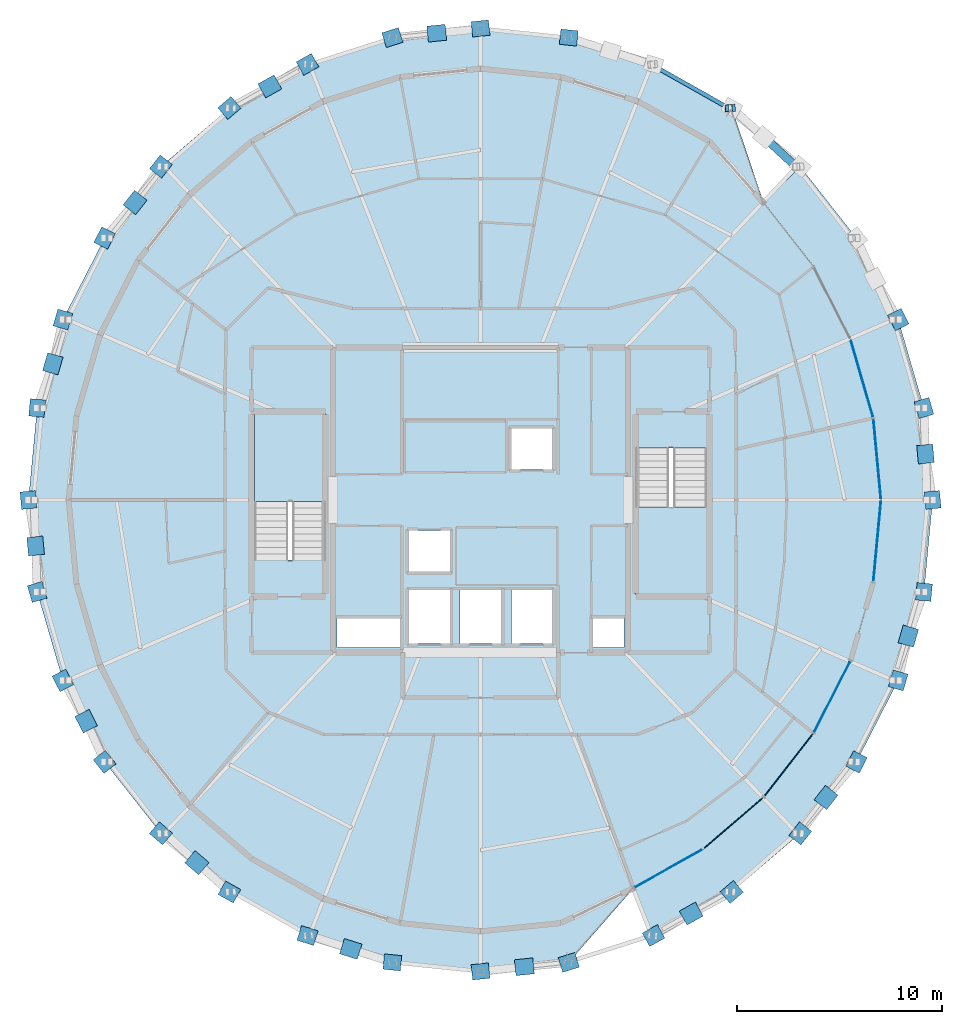
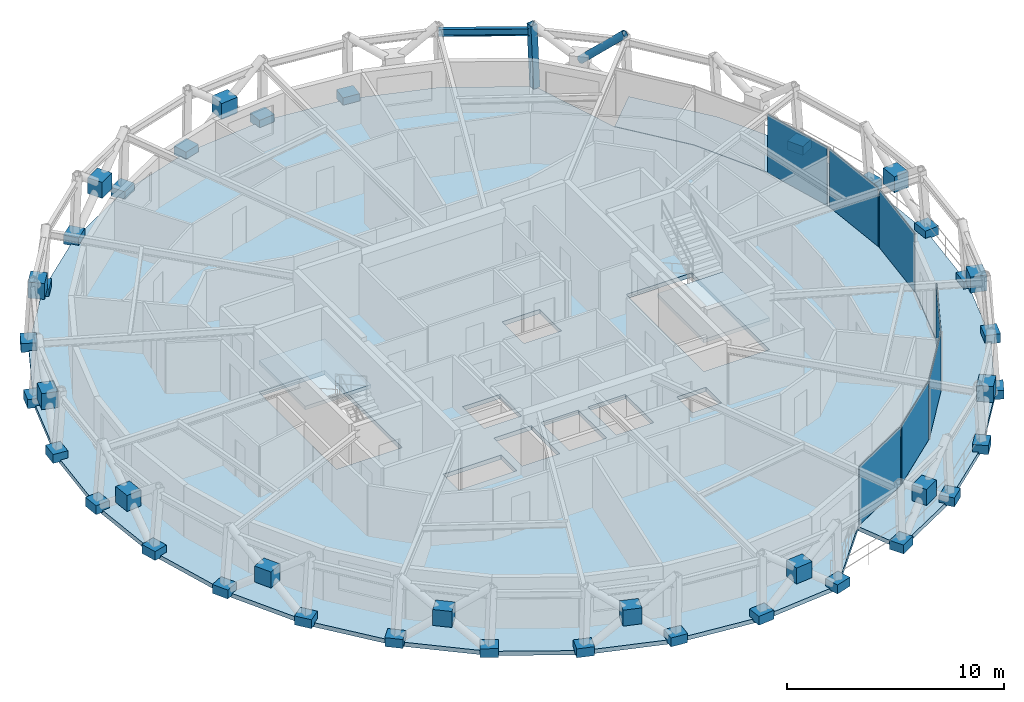
# One storey, part 9 of 15: 48 plates, 4 slabs, 2 members, 1 beam, 4 elements without a shape of their own.
"""IFC4 building model written with IfcOpenShell, lengths in metres."""

from ifc_helpers import new_model, si_unit, direction, frame, origin, origin_2d, place, context, subcontext, project, spatial, polyline, rectangle, hollow_rectangle, hollow_circle, i_section, outline, extrude, material, layer, layer_set, material_profile, profile_set, type_object, element, aggregate, save


model = new_model("IFC4")

# Units and contexts
model_context = context("Model", 3, precision=1e-05, world=origin(), true_north=direction((0.0, 1.0)))
body_context = subcontext(model_context, "Body", "Model", "MODEL_VIEW")
ifc_project = project(units=[si_unit("LENGTHUNIT", "METRE"), si_unit("AREAUNIT", "SQUARE_METRE"), si_unit("VOLUMEUNIT", "CUBIC_METRE"), si_unit("PLANEANGLEUNIT", "RADIAN"), si_unit("MASSUNIT", "GRAM", prefix="KILO")], contexts=[model_context])

# Site, building, storey
site_placement = place(None, origin())
site = spatial("IfcSite", under=ifc_project, at=site_placement, CompositionType="ELEMENT")
building_placement = place(site_placement, origin())
building = spatial("IfcBuilding", under=site, at=building_placement, Name="Veldorina Hangang Commons", CompositionType="ELEMENT")
storey_placement = place(building_placement, frame((0.0, 0.0, 261.60009765625)))
storey = spatial("IfcBuildingStorey", under=building, at=storey_placement, Name="L68", CompositionType="ELEMENT", Elevation=261.60009765625)

# Beam
ifc_material_1 = material(Name="Steel SM355-TMC", Category="steel")
ifc_material_profile_1 = material_profile(ifc_material_1, i_section(OverallWidth=0.199951171875, OverallDepth=0.39990234375, WebThickness=0.008056640625, FlangeThickness=0.012939453125, FilletRadius=0.012939453125, at=origin_2d()), Name="H-400x200x8x13")
ifc_profile_set_1 = profile_set([ifc_material_profile_1], Name="Steel SM355-TMC")
beam_type = type_object("IfcBeamType", Name="BM-RB400", PredefinedType="BEAM", material=ifc_profile_set_1)
beam_placement = place(storey_placement, frame((44.12841796875, 43.132568359375, 3.159912109375), z_axis=(-0.871244233372, 0.490849758905, 0.0), x_axis=(-0.490849758905, -0.871244233372, 0.0)))
element("IfcBeam", 1, at=beam_placement, inside=storey, type_object=beam_type, Name="L68 perimeter hoop ring beam 05", PredefinedType="BEAM", context=body_context, shape_type="SweptSolid", body=[
    extrude(i_section(OverallWidth=0.199951171875, OverallDepth=0.39990234375, WebThickness=0.008056640625, FlangeThickness=0.012939453125, FilletRadius=0.012939453125, at=origin_2d()), origin(), (0.0, 0.0, 1.0), 4.332275390625),
])

# Members
ifc_material_profile_2 = material_profile(ifc_material_1, hollow_circle(Radius=0.199951171875, WallThickness=0.02001953125, at=origin_2d()), Name="CHS-400x20")
ifc_profile_set_2 = profile_set([ifc_material_profile_2], Name="Steel SM355-TMC")
member_type_1 = type_object("IfcMemberType", Name="DG-CHS400", PredefinedType="BRACE", material=ifc_profile_set_2)
member_1_placement = place(storey_placement, frame((45.852783203125, 41.710205078125, 1.806640625), z_axis=(0.561228710294, -0.51826677552, 0.645307588777), x_axis=(0.678428165475, 0.734666743694, 0.0)))
element("IfcMember", 2, at=member_1_placement, inside=storey, type_object=member_type_1, Name="L68 split perimeter diagrid upper brace 05", PredefinedType="BRACE", context=body_context, shape_type="SweptSolid", body=[
    extrude(hollow_circle(Radius=0.199951171875, WallThickness=0.02001953125, at=origin_2d()), origin(), (0.0, 0.0, 1.0), 2.77880859375),
])
ifc_material_profile_3 = material_profile(ifc_material_1, hollow_rectangle(XDim=0.35009765625, YDim=0.35009765625, WallThickness=0.01611328125, at=origin_2d()), Name="SHS-350x350x16")
ifc_profile_set_3 = profile_set([ifc_material_profile_3], Name="Steel SM355-TMC")
member_type_2 = type_object("IfcMemberType", Name="STR-SHS350", PredefinedType="STRUT", material=ifc_profile_set_3)
member_2_placement = place(storey_placement, frame((44.264404296875, 43.141357421875, 0.0), z_axis=(-0.043025400064, -0.002778017957, 0.999070116441), x_axis=(0.064432762324, -0.997922050633, 0.0)))
element("IfcMember", 3, at=member_2_placement, inside=storey, type_object=member_type_2, Name="L68 perimeter ring node post 05", PredefinedType="STRUT", context=body_context, shape_type="SweptSolid", body=[
    extrude(hollow_rectangle(XDim=0.35009765625, YDim=0.35009765625, WallThickness=0.01611328125, at=origin_2d()), origin(), (0.0, 0.0, 1.0), 3.603271484375),
])

# Curtain wall, plates
ifc_material_2 = material(Name="Glass Low-E Selective", Category="glass")
ifc_layer_1 = layer(ifc_material_2, 0.179931640625)
ifc_layer_set_1 = layer_set([ifc_layer_1], Name="Glass Low-E Selective")
curtain_wall_type = type_object("IfcCurtainWallType", Name="CW-SYS-Z3", PredefinedType="NOTDEFINED", material=ifc_layer_set_1)
curtain_wall_1_placement = place(storey_placement, origin())
curtain_wall_1 = element("IfcCurtainWall", 4, at=curtain_wall_1_placement, inside=storey, type_object=curtain_wall_type, Name="L68 unitised curtain wall CW-L68-R1", PredefinedType="NOTDEFINED")
ifc_material_3 = material(Name="Glass Low-E Triple IGU", Category="glass")
ifc_layer_2 = layer(ifc_material_3, 0.0400390625)
ifc_layer_set_2 = layer_set([ifc_layer_2], Name="Glass Low-E Triple IGU")
plate_type_1 = type_object("IfcPlateType", Name="CW-PNL-VIS", PredefinedType="CURTAIN_PANEL", material=ifc_layer_set_2)
plate_1_placement = place(storey_placement, frame((41.173828125, 6.006591796875, 0.014892578125), z_axis=(0.0, 0.0, 1.0), x_axis=(0.872368056432, 0.48884964367, 0.0)))
plate_1 = element("IfcPlate", 5, at=plate_1_placement, type_object=plate_type_1, Name="CW-L68-R1 facet 1 glazed vision panel", PredefinedType="CURTAIN_PANEL", context=body_context, shape_type="SweptSolid", body=[
    extrude(rectangle(XDim=3.6953125, YDim=0.0400390625, at=origin_2d()), origin(), (0.0, 0.0, 1.0), 3.2900390625),
])
plate_2_placement = place(storey_placement, frame((44.345703125, 8.228759765625, 0.014892578125), z_axis=(0.0, 0.0, 1.0), x_axis=(0.758043278694, 0.652204252996, 0.0)))
plate_2 = element("IfcPlate", 6, at=plate_2_placement, type_object=plate_type_1, Name="CW-L68-R1 facet 2 glazed vision panel", PredefinedType="CURTAIN_PANEL", context=body_context, shape_type="SweptSolid", body=[
    extrude(rectangle(XDim=3.729248046875, YDim=0.0400390625, at=origin_2d()), origin(), (0.0, 0.0, 1.0), 3.2900390625),
])
plate_3_placement = place(storey_placement, frame((47.04345703125, 11.056884765625, 0.014892578125), z_axis=(0.0, 0.0, 1.0), x_axis=(0.616431370541, 0.787408639407, 0.0)))
plate_3 = element("IfcPlate", 7, at=plate_3_placement, type_object=plate_type_1, Name="CW-L68-R1 facet 3 glazed vision panel", PredefinedType="CURTAIN_PANEL", context=body_context, shape_type="SweptSolid", body=[
    extrude(rectangle(XDim=3.765380859375, YDim=0.0400390625, at=origin_2d()), origin(), (0.0, 0.0, 1.0), 3.2900390625),
])
plate_4_placement = place(storey_placement, frame((49.1630859375, 14.38232421875, 0.014892578125), z_axis=(0.0, 0.0, 1.0), x_axis=(0.454223749141, 0.890887639221, 0.0)))
plate_4 = element("IfcPlate", 8, at=plate_4_placement, type_object=plate_type_1, Name="CW-L68-R1 facet 4 glazed vision panel", PredefinedType="CURTAIN_PANEL", context=body_context, shape_type="SweptSolid", body=[
    extrude(rectangle(XDim=3.798583984375, YDim=0.0400390625, at=origin_2d()), origin(), (0.0, 0.0, 1.0), 3.2900390625),
])
aggregate(curtain_wall_1, [plate_1, plate_2, plate_3, plate_4])

curtain_wall_2_placement = place(storey_placement, origin())
curtain_wall_2 = element("IfcCurtainWall", 9, at=curtain_wall_2_placement, inside=storey, type_object=curtain_wall_type, Name="L68 unitised curtain wall CW-L68-R2", PredefinedType="NOTDEFINED")
plate_5_placement = place(storey_placement, frame((51.3671875, 22.000244140625, 0.014892578125), z_axis=(0.0, 0.0, 1.0), x_axis=(0.093517518421, 0.99561763431, 0.0)))
plate_5 = element("IfcPlate", 10, at=plate_5_placement, type_object=plate_type_1, Name="CW-L68-R2 facet 1 glazed vision panel", PredefinedType="CURTAIN_PANEL", context=body_context, shape_type="SweptSolid", body=[
    extrude(rectangle(XDim=3.837158203125, YDim=0.0400390625, at=origin_2d()), origin(), (0.0, 0.0, 1.0), 3.2900390625),
])
plate_6_placement = place(storey_placement, frame((51.3671875, 25.999755859375, 0.014892578125), z_axis=(0.0, 0.0, 1.0), x_axis=(-0.093517518421, 0.99561763431, 0.0)))
plate_6 = element("IfcPlate", 11, at=plate_6_placement, type_object=plate_type_1, Name="CW-L68-R2 facet 2 glazed vision panel", PredefinedType="CURTAIN_PANEL", context=body_context, shape_type="SweptSolid", body=[
    extrude(rectangle(XDim=3.837158203125, YDim=0.0400390625, at=origin_2d()), origin(), (0.0, 0.0, 1.0), 3.2900390625),
])
plate_7_placement = place(storey_placement, frame((50.623046875, 29.922607421875, 0.014892578125), z_axis=(0.0, 0.0, 1.0), x_axis=(-0.277951805131, 0.96059502082, 0.0)))
plate_7 = element("IfcPlate", 12, at=plate_7_placement, type_object=plate_type_1, Name="CW-L68-R2 facet 3 glazed vision panel", PredefinedType="CURTAIN_PANEL", context=body_context, shape_type="SweptSolid", body=[
    extrude(rectangle(XDim=3.82373046875, YDim=0.0400390625, at=origin_2d()), origin(), (0.0, 0.0, 1.0), 3.2900390625),
])
aggregate(curtain_wall_2, [plate_5, plate_6, plate_7])

# Plates
ifc_material_4 = material(Name="Steel SM460-TMC", Category="steel")
ifc_layer_3 = layer(ifc_material_4, 0.035888671875)
ifc_layer_set_3 = layer_set([ifc_layer_3], Name="Steel SM460-TMC")
plate_type_2 = type_object("IfcPlateType", Name="PL-STAR-36", PredefinedType="USERDEFINED", material=ifc_layer_set_3)
plate_8_placement = place(storey_placement, frame((54.0751953125, 24.0, -0.090087890625), z_axis=(0.0, 0.0, 1.0), x_axis=(-0.094038809752, 0.995568532177, 0.0)))
element("IfcPlate", 13, at=plate_8_placement, inside=storey, type_object=plate_type_2, Name="L68 diagrid star-node gusset plate 00", ObjectType="GUSSET PLATE", PredefinedType="USERDEFINED", context=body_context, shape_type="SweptSolid", body=[
    extrude(rectangle(XDim=0.85009765625, YDim=0.75, at=origin_2d()), origin(), (0.0, 0.0, 1.0), 0.5),
])
plate_9_placement = place(storey_placement, frame((53.726318359375, 26.2451171875, 1.3505859375), z_axis=(0.0, 0.0, 1.0), x_axis=(-0.094038809752, 0.995568532177, 0.0)))
element("IfcPlate", 14, at=plate_9_placement, inside=storey, type_object=plate_type_2, Name="L68 diagrid X-crossing star-node gusset plate 00", ObjectType="GUSSET PLATE", PredefinedType="USERDEFINED", context=body_context, shape_type="SweptSolid", body=[
    extrude(rectangle(XDim=0.89990234375, YDim=0.780029296875, at=origin_2d()), origin(), (0.0, 0.0, 1.0), 0.89990234375),
])
for number, where, z_axis, x_axis, name in (
    (15, (53.65087890625, 28.4912109375, -0.090087890625), (0.0, 0.0, 1.0), (-0.279309536139, 0.960201115924, 0.0), "L68 diagrid star-node gusset plate 01"),
    (16, (52.394775390625, 32.809814453125, -0.090087890625), (0.0, 0.0, 1.0), (-0.456104154477, 0.889926401602, 0.0), "L68 diagrid star-node gusset plate 02"),
    (17, (36.306640625, 46.578857421875, -0.090087890625), (0.0, 0.0, 1.0), (-0.994767207222, 0.102167526325, 0.0), "L68 diagrid star-node gusset plate 07"),
    (18, (32.0, 47.021240234375, -0.090087890625), (0.0, 0.0, 1.0), (-0.994767207222, -0.102167526325, 0.0), "L68 diagrid star-node gusset plate 08"),
):
    element("IfcPlate", number, at=place(storey_placement, frame(where, z_axis=z_axis, x_axis=x_axis)), inside=storey, type_object=plate_type_2, Name=name, ObjectType="GUSSET PLATE", PredefinedType="USERDEFINED", context=body_context, shape_type="SweptSolid", body=[
        extrude(rectangle(XDim=0.85009765625, YDim=0.75, at=origin_2d()), origin(), (0.0, 0.0, 1.0), 0.5),
    ])
plate_10_placement = place(storey_placement, frame((29.860595703125, 46.792724609375, 1.361328125), z_axis=(0.0, 0.0, 1.0), x_axis=(-0.994767207222, -0.102167526325, 0.0)))
element("IfcPlate", 19, at=plate_10_placement, inside=storey, type_object=plate_type_2, Name="L68 diagrid X-crossing star-node gusset plate 08", ObjectType="GUSSET PLATE", PredefinedType="USERDEFINED", context=body_context, shape_type="SweptSolid", body=[
    extrude(rectangle(XDim=0.89990234375, YDim=0.780029296875, at=origin_2d()), origin(), (0.0, 0.0, 1.0), 0.89990234375),
])
for number, where, z_axis, x_axis, name in (
    (20, (27.693359375, 46.578857421875, -0.090087890625), (0.0, 0.0, 1.0), (-0.953427854537, -0.301621163369, 0.0), "L68 diagrid star-node gusset plate 09"),
    (21, (23.55224609375, 45.268798828125, -0.090087890625), (0.0, 0.0, 1.0), (-0.873466477048, -0.486884291668, 0.0), "L68 diagrid star-node gusset plate 10"),
):
    element("IfcPlate", number, at=place(storey_placement, frame(where, z_axis=z_axis, x_axis=x_axis)), inside=storey, type_object=plate_type_2, Name=name, ObjectType="GUSSET PLATE", PredefinedType="USERDEFINED", context=body_context, shape_type="SweptSolid", body=[
        extrude(rectangle(XDim=0.85009765625, YDim=0.75, at=origin_2d()), origin(), (0.0, 0.0, 1.0), 0.5),
    ])
plate_11_placement = place(storey_placement, frame((21.71240234375, 44.19482421875, 1.358642578125), z_axis=(0.0, 0.0, 1.0), x_axis=(-0.873466477048, -0.486884291668, 0.0)))
element("IfcPlate", 22, at=plate_11_placement, inside=storey, type_object=plate_type_2, Name="L68 diagrid X-crossing star-node gusset plate 10", ObjectType="GUSSET PLATE", PredefinedType="USERDEFINED", context=body_context, shape_type="SweptSolid", body=[
    extrude(rectangle(XDim=0.89990234375, YDim=0.780029296875, at=origin_2d()), origin(), (0.0, 0.0, 1.0), 0.89990234375),
])
for number, where, z_axis, x_axis, name in (
    (23, (19.735595703125, 43.141357421875, -0.090087890625), (0.0, 0.0, 1.0), (-0.759736797162, -0.650230727541, 0.0), "L68 diagrid star-node gusset plate 11"),
    (24, (16.390380859375, 40.2783203125, -0.090087890625), (0.0, 0.0, 1.0), (-0.618422111054, -0.785846099793, 0.0), "L68 diagrid star-node gusset plate 12"),
):
    element("IfcPlate", number, at=place(storey_placement, frame(where, z_axis=z_axis, x_axis=x_axis)), inside=storey, type_object=plate_type_2, Name=name, ObjectType="GUSSET PLATE", PredefinedType="USERDEFINED", context=body_context, shape_type="SweptSolid", body=[
        extrude(rectangle(XDim=0.85009765625, YDim=0.75, at=origin_2d()), origin(), (0.0, 0.0, 1.0), 0.5),
    ])
plate_12_placement = place(storey_placement, frame((15.130615234375, 38.5263671875, 1.3544921875), z_axis=(0.0, 0.0, 1.0), x_axis=(-0.618422111054, -0.785846099793, 0.0)))
element("IfcPlate", 25, at=plate_12_placement, inside=storey, type_object=plate_type_2, Name="L68 diagrid X-crossing star-node gusset plate 12", ObjectType="GUSSET PLATE", PredefinedType="USERDEFINED", context=body_context, shape_type="SweptSolid", body=[
    extrude(rectangle(XDim=0.89990234375, YDim=0.780029296875, at=origin_2d()), origin(), (0.0, 0.0, 1.0), 0.89990234375),
])
for number, where, z_axis, x_axis, name in (
    (26, (13.645263671875, 36.789794921875, -0.090087890625), (0.0, 0.0, 1.0), (-0.456104154477, -0.889926401602, 0.0), "L68 diagrid star-node gusset plate 13"),
    (27, (11.605224609375, 32.809814453125, -0.090087890625), (0.0, 0.0, 1.0), (-0.279309536139, -0.960201115924, 0.0), "L68 diagrid star-node gusset plate 14"),
):
    element("IfcPlate", number, at=place(storey_placement, frame(where, z_axis=z_axis, x_axis=x_axis)), inside=storey, type_object=plate_type_2, Name=name, ObjectType="GUSSET PLATE", PredefinedType="USERDEFINED", context=body_context, shape_type="SweptSolid", body=[
        extrude(rectangle(XDim=0.85009765625, YDim=0.75, at=origin_2d()), origin(), (0.0, 0.0, 1.0), 0.5),
    ])
plate_13_placement = place(storey_placement, frame((11.113525390625, 30.647705078125, 1.351318359375), z_axis=(0.0, 0.0, 1.0), x_axis=(-0.279309536139, -0.960201115924, 0.0)))
element("IfcPlate", 28, at=plate_13_placement, inside=storey, type_object=plate_type_2, Name="L68 diagrid X-crossing star-node gusset plate 14", ObjectType="GUSSET PLATE", PredefinedType="USERDEFINED", context=body_context, shape_type="SweptSolid", body=[
    extrude(rectangle(XDim=0.89990234375, YDim=0.780029296875, at=origin_2d()), origin(), (0.0, 0.0, 1.0), 0.89990234375),
])
for number, where, z_axis, x_axis, name in (
    (29, (10.34912109375, 28.4912109375, -0.090087890625), (0.0, 0.0, 1.0), (-0.094038809752, -0.995568532177, 0.0), "L68 diagrid star-node gusset plate 15"),
    (30, (9.9248046875, 24.0, -0.090087890625), (0.0, 0.0, 1.0), (0.094038809752, -0.995568532177, 0.0), "L68 diagrid star-node gusset plate 16"),
):
    element("IfcPlate", number, at=place(storey_placement, frame(where, z_axis=z_axis, x_axis=x_axis)), inside=storey, type_object=plate_type_2, Name=name, ObjectType="GUSSET PLATE", PredefinedType="USERDEFINED", context=body_context, shape_type="SweptSolid", body=[
        extrude(rectangle(XDim=0.85009765625, YDim=0.75, at=origin_2d()), origin(), (0.0, 0.0, 1.0), 0.5),
    ])
plate_14_placement = place(storey_placement, frame((10.273681640625, 21.7548828125, 1.3505859375), z_axis=(0.0, 0.0, 1.0), x_axis=(0.094038809752, -0.995568532177, 0.0)))
element("IfcPlate", 31, at=plate_14_placement, inside=storey, type_object=plate_type_2, Name="L68 diagrid X-crossing star-node gusset plate 16", ObjectType="GUSSET PLATE", PredefinedType="USERDEFINED", context=body_context, shape_type="SweptSolid", body=[
    extrude(rectangle(XDim=0.89990234375, YDim=0.780029296875, at=origin_2d()), origin(), (0.0, 0.0, 1.0), 0.89990234375),
])
for number, where, z_axis, x_axis, name in (
    (32, (10.34912109375, 19.5087890625, -0.090087890625), (0.0, 0.0, 1.0), (0.279309536139, -0.960201115924, 0.0), "L68 diagrid star-node gusset plate 17"),
    (33, (11.605224609375, 15.190185546875, -0.090087890625), (0.0, 0.0, 1.0), (0.456104154477, -0.889926401602, 0.0), "L68 diagrid star-node gusset plate 18"),
):
    element("IfcPlate", number, at=place(storey_placement, frame(where, z_axis=z_axis, x_axis=x_axis)), inside=storey, type_object=plate_type_2, Name=name, ObjectType="GUSSET PLATE", PredefinedType="USERDEFINED", context=body_context, shape_type="SweptSolid", body=[
        extrude(rectangle(XDim=0.85009765625, YDim=0.75, at=origin_2d()), origin(), (0.0, 0.0, 1.0), 0.5),
    ])
plate_15_placement = place(storey_placement, frame((12.742919921875, 13.200439453125, 1.3525390625), z_axis=(0.0, 0.0, 1.0), x_axis=(0.456104154477, -0.889926401602, 0.0)))
element("IfcPlate", 34, at=plate_15_placement, inside=storey, type_object=plate_type_2, Name="L68 diagrid X-crossing star-node gusset plate 18", ObjectType="GUSSET PLATE", PredefinedType="USERDEFINED", context=body_context, shape_type="SweptSolid", body=[
    extrude(rectangle(XDim=0.89990234375, YDim=0.780029296875, at=origin_2d()), origin(), (0.0, 0.0, 1.0), 0.89990234375),
])
for number, where, z_axis, x_axis, name in (
    (35, (13.645263671875, 11.210205078125, -0.090087890625), (0.0, 0.0, 1.0), (0.618422111054, -0.785846099793, 0.0), "L68 diagrid star-node gusset plate 19"),
    (36, (16.390380859375, 7.7216796875, -0.090087890625), (0.0, 0.0, 1.0), (0.759736797162, -0.650230727541, 0.0), "L68 diagrid star-node gusset plate 20"),
):
    element("IfcPlate", number, at=place(storey_placement, frame(where, z_axis=z_axis, x_axis=x_axis)), inside=storey, type_object=plate_type_2, Name=name, ObjectType="GUSSET PLATE", PredefinedType="USERDEFINED", context=body_context, shape_type="SweptSolid", body=[
        extrude(rectangle(XDim=0.85009765625, YDim=0.75, at=origin_2d()), origin(), (0.0, 0.0, 1.0), 0.5),
    ])
plate_16_placement = place(storey_placement, frame((18.147216796875, 6.289794921875, 1.356689453125), z_axis=(0.0, 0.0, 1.0), x_axis=(0.759736797162, -0.650230727541, 0.0)))
element("IfcPlate", 37, at=plate_16_placement, inside=storey, type_object=plate_type_2, Name="L68 diagrid X-crossing star-node gusset plate 20", ObjectType="GUSSET PLATE", PredefinedType="USERDEFINED", context=body_context, shape_type="SweptSolid", body=[
    extrude(rectangle(XDim=0.89990234375, YDim=0.780029296875, at=origin_2d()), origin(), (0.0, 0.0, 1.0), 0.89990234375),
])
for number, where, z_axis, x_axis, name in (
    (38, (19.735595703125, 4.858642578125, -0.090087890625), (0.0, 0.0, 1.0), (0.873466477048, -0.486884291668, 0.0), "L68 diagrid star-node gusset plate 21"),
    (39, (23.55224609375, 2.731201171875, -0.090087890625), (0.0, 0.0, 1.0), (0.953427854537, -0.301621163369, 0.0), "L68 diagrid star-node gusset plate 22"),
):
    element("IfcPlate", number, at=place(storey_placement, frame(where, z_axis=z_axis, x_axis=x_axis)), inside=storey, type_object=plate_type_2, Name=name, ObjectType="GUSSET PLATE", PredefinedType="USERDEFINED", context=body_context, shape_type="SweptSolid", body=[
        extrude(rectangle(XDim=0.85009765625, YDim=0.75, at=origin_2d()), origin(), (0.0, 0.0, 1.0), 0.5),
    ])
plate_17_placement = place(storey_placement, frame((25.662109375, 2.078369140625, 1.3603515625), z_axis=(0.0, 0.0, 1.0), x_axis=(0.953427854537, -0.301621163369, 0.0)))
element("IfcPlate", 40, at=plate_17_placement, inside=storey, type_object=plate_type_2, Name="L68 diagrid X-crossing star-node gusset plate 22", ObjectType="GUSSET PLATE", PredefinedType="USERDEFINED", context=body_context, shape_type="SweptSolid", body=[
    extrude(rectangle(XDim=0.89990234375, YDim=0.780029296875, at=origin_2d()), origin(), (0.0, 0.0, 1.0), 0.89990234375),
])
for number, where, z_axis, x_axis, name in (
    (41, (27.693359375, 1.421142578125, -0.090087890625), (0.0, 0.0, 1.0), (0.994767207222, -0.102167526325, 0.0), "L68 diagrid star-node gusset plate 23"),
    (42, (32.0, 0.978759765625, -0.090087890625), (0.0, 0.0, 1.0), (0.994767207222, 0.102167526325, 0.0), "L68 diagrid star-node gusset plate 24"),
):
    element("IfcPlate", number, at=place(storey_placement, frame(where, z_axis=z_axis, x_axis=x_axis)), inside=storey, type_object=plate_type_2, Name=name, ObjectType="GUSSET PLATE", PredefinedType="USERDEFINED", context=body_context, shape_type="SweptSolid", body=[
        extrude(rectangle(XDim=0.85009765625, YDim=0.75, at=origin_2d()), origin(), (0.0, 0.0, 1.0), 0.5),
    ])
plate_18_placement = place(storey_placement, frame((34.139404296875, 1.207275390625, 1.361328125), z_axis=(0.0, 0.0, 1.0), x_axis=(0.994767207222, 0.102167526325, 0.0)))
element("IfcPlate", 43, at=plate_18_placement, inside=storey, type_object=plate_type_2, Name="L68 diagrid X-crossing star-node gusset plate 24", ObjectType="GUSSET PLATE", PredefinedType="USERDEFINED", context=body_context, shape_type="SweptSolid", body=[
    extrude(rectangle(XDim=0.89990234375, YDim=0.780029296875, at=origin_2d()), origin(), (0.0, 0.0, 1.0), 0.89990234375),
])
for number, where, z_axis, x_axis, name in (
    (44, (36.306640625, 1.421142578125, -0.090087890625), (0.0, 0.0, 1.0), (0.953427854537, 0.301621163369, 0.0), "L68 diagrid star-node gusset plate 25"),
    (45, (40.44775390625, 2.731201171875, -0.090087890625), (0.0, 0.0, 1.0), (0.873466477048, 0.486884291668, 0.0), "L68 diagrid star-node gusset plate 26"),
):
    element("IfcPlate", number, at=place(storey_placement, frame(where, z_axis=z_axis, x_axis=x_axis)), inside=storey, type_object=plate_type_2, Name=name, ObjectType="GUSSET PLATE", PredefinedType="USERDEFINED", context=body_context, shape_type="SweptSolid", body=[
        extrude(rectangle(XDim=0.85009765625, YDim=0.75, at=origin_2d()), origin(), (0.0, 0.0, 1.0), 0.5),
    ])
plate_19_placement = place(storey_placement, frame((42.28759765625, 3.80517578125, 1.358642578125), z_axis=(0.0, 0.0, 1.0), x_axis=(0.873466477048, 0.486884291668, 0.0)))
element("IfcPlate", 46, at=plate_19_placement, inside=storey, type_object=plate_type_2, Name="L68 diagrid X-crossing star-node gusset plate 26", ObjectType="GUSSET PLATE", PredefinedType="USERDEFINED", context=body_context, shape_type="SweptSolid", body=[
    extrude(rectangle(XDim=0.89990234375, YDim=0.780029296875, at=origin_2d()), origin(), (0.0, 0.0, 1.0), 0.89990234375),
])
for number, where, z_axis, x_axis, name in (
    (47, (44.264404296875, 4.858642578125, -0.090087890625), (0.0, 0.0, 1.0), (0.759736797162, 0.650230727541, 0.0), "L68 diagrid star-node gusset plate 27"),
    (48, (47.609619140625, 7.7216796875, -0.090087890625), (0.0, 0.0, 1.0), (0.618422111054, 0.785846099793, 0.0), "L68 diagrid star-node gusset plate 28"),
):
    element("IfcPlate", number, at=place(storey_placement, frame(where, z_axis=z_axis, x_axis=x_axis)), inside=storey, type_object=plate_type_2, Name=name, ObjectType="GUSSET PLATE", PredefinedType="USERDEFINED", context=body_context, shape_type="SweptSolid", body=[
        extrude(rectangle(XDim=0.85009765625, YDim=0.75, at=origin_2d()), origin(), (0.0, 0.0, 1.0), 0.5),
    ])
plate_20_placement = place(storey_placement, frame((48.869384765625, 9.4736328125, 1.3544921875), z_axis=(0.0, 0.0, 1.0), x_axis=(0.618422111054, 0.785846099793, 0.0)))
element("IfcPlate", 49, at=plate_20_placement, inside=storey, type_object=plate_type_2, Name="L68 diagrid X-crossing star-node gusset plate 28", ObjectType="GUSSET PLATE", PredefinedType="USERDEFINED", context=body_context, shape_type="SweptSolid", body=[
    extrude(rectangle(XDim=0.89990234375, YDim=0.780029296875, at=origin_2d()), origin(), (0.0, 0.0, 1.0), 0.89990234375),
])
for number, where, z_axis, x_axis, name in (
    (50, (50.354736328125, 11.210205078125, -0.090087890625), (0.0, 0.0, 1.0), (0.456104154477, 0.889926401602, 0.0), "L68 diagrid star-node gusset plate 29"),
    (51, (52.394775390625, 15.190185546875, -0.090087890625), (0.0, 0.0, 1.0), (0.279309536139, 0.960201115924, 0.0), "L68 diagrid star-node gusset plate 30"),
):
    element("IfcPlate", number, at=place(storey_placement, frame(where, z_axis=z_axis, x_axis=x_axis)), inside=storey, type_object=plate_type_2, Name=name, ObjectType="GUSSET PLATE", PredefinedType="USERDEFINED", context=body_context, shape_type="SweptSolid", body=[
        extrude(rectangle(XDim=0.85009765625, YDim=0.75, at=origin_2d()), origin(), (0.0, 0.0, 1.0), 0.5),
    ])
plate_21_placement = place(storey_placement, frame((52.886474609375, 17.352294921875, 1.351318359375), z_axis=(0.0, 0.0, 1.0), x_axis=(0.279309536139, 0.960201115924, 0.0)))
element("IfcPlate", 52, at=plate_21_placement, inside=storey, type_object=plate_type_2, Name="L68 diagrid X-crossing star-node gusset plate 30", ObjectType="GUSSET PLATE", PredefinedType="USERDEFINED", context=body_context, shape_type="SweptSolid", body=[
    extrude(rectangle(XDim=0.89990234375, YDim=0.780029296875, at=origin_2d()), origin(), (0.0, 0.0, 1.0), 0.89990234375),
])
plate_22_placement = place(storey_placement, frame((53.65087890625, 19.5087890625, -0.090087890625), z_axis=(0.0, 0.0, 1.0), x_axis=(0.094038809752, 0.995568532177, 0.0)))
element("IfcPlate", 53, at=plate_22_placement, inside=storey, type_object=plate_type_2, Name="L68 diagrid star-node gusset plate 31", ObjectType="GUSSET PLATE", PredefinedType="USERDEFINED", context=body_context, shape_type="SweptSolid", body=[
    extrude(rectangle(XDim=0.85009765625, YDim=0.75, at=origin_2d()), origin(), (0.0, 0.0, 1.0), 0.5),
])

# Slabs
ifc_material_5 = material(Name="Concrete C40/50", Category="concrete")
ifc_layer_4 = layer(ifc_material_5, 0.239990234375)
ifc_layer_set_4 = layer_set([ifc_layer_4], Name="Concrete C40/50")
slab_type_1 = type_object("IfcSlabType", Name="SL-FLR-240", PredefinedType="FLOOR", material=ifc_layer_set_4)
slab_1_placement = place(storey_placement, frame((0.0, 0.0, -0.239990234375)))
element("IfcSlab", 54, at=slab_1_placement, inside=storey, type_object=slab_type_1, Name="L68 tower structural floor slab", PredefinedType="FLOOR", context=body_context, shape_type="SweptSolid", body=[
    extrude(outline(polyline([(51.55517578125, 24.0), (51.179443359375, 27.99951171875), (50.066650390625, 31.845458984375), (48.259521484375, 35.389892578125), (45.827392578125, 38.49658203125), (44.264404296875, 43.141357421875), (40.44775390625, 45.268798828125), (36.306640625, 46.578857421875), (32.0, 47.021240234375), (27.693359375, 46.578857421875), (23.55224609375, 45.268798828125), (19.735595703125, 43.141357421875), (16.390380859375, 40.2783203125), (13.645263671875, 36.789794921875), (11.605224609375, 32.809814453125), (10.34912109375, 28.4912109375), (9.9248046875, 24.0), (10.34912109375, 19.5087890625), (11.605224609375, 15.190185546875), (13.645263671875, 11.210205078125), (16.390380859375, 7.7216796875), (19.735595703125, 4.858642578125), (23.55224609375, 2.731201171875), (27.693359375, 1.421142578125), (32.0, 0.978759765625), (36.306640625, 1.421142578125), (39.4833984375, 5.059326171875), (42.8642578125, 6.953857421875), (45.827392578125, 9.50341796875), (48.259521484375, 12.610107421875), (50.066650390625, 16.154541015625), (51.179443359375, 20.00048828125), (51.55517578125, 24.0)]), holes=[polyline([(20.949951171875, 21.05810546875), (20.949951171875, 28.199951171875), (24.449951171875, 28.199951171875), (24.449951171875, 21.05810546875), (20.949951171875, 21.05810546875)]), polyline([(43.050048828125, 26.5419921875), (43.050048828125, 19.39990234375), (39.550048828125, 19.39990234375), (39.550048828125, 26.5419921875), (43.050048828125, 26.5419921875)]), polyline([(33.5, 27.5), (35.5, 27.5), (35.5, 25.5), (33.5, 25.5), (33.5, 27.5)]), polyline([(28.5, 22.5), (30.5, 22.5), (30.5, 20.5), (28.5, 20.5), (28.5, 22.5)]), polyline([(28.5, 19.60009765625), (30.5, 19.60009765625), (30.5, 17.0), (28.5, 17.0), (28.5, 19.60009765625)]), polyline([(31.0, 19.60009765625), (33.0, 19.60009765625), (33.0, 17.0), (31.0, 17.0), (31.0, 19.60009765625)]), polyline([(33.5, 19.60009765625), (35.5, 19.60009765625), (35.5, 17.0), (33.5, 17.0), (33.5, 19.60009765625)]), polyline([(25.0, 18.25), (28.10009765625, 18.25), (28.10009765625, 16.800048828125), (25.0, 16.800048828125), (25.0, 18.25)]), polyline([(37.449951171875, 18.25), (39.0, 18.25), (39.0, 16.800048828125), (37.449951171875, 16.800048828125), (37.449951171875, 18.25)])]), origin(), (0.0, 0.0, 1.0), 0.239990234375),
])
slab_2_placement = place(storey_placement, frame((0.0, 0.0, -0.239990234375)))
element("IfcSlab", 55, at=slab_2_placement, inside=storey, type_object=slab_type_1, Name="L68 sky-garden loggia outdoor slab", PredefinedType="FLOOR", context=body_context, shape_type="SweptSolid", body=[
    extrude(outline(polyline([(47.609619140625, 40.2783203125), (50.354736328125, 36.789794921875), (52.394775390625, 32.809814453125), (53.65087890625, 28.4912109375), (54.0751953125, 24.0), (53.65087890625, 19.5087890625), (52.394775390625, 15.190185546875), (50.354736328125, 11.210205078125), (47.609619140625, 7.7216796875), (44.264404296875, 4.858642578125), (40.44775390625, 2.731201171875), (39.48974609375, 5.0439453125), (39.492919921875, 5.047607421875), (42.87158203125, 6.94091796875), (42.872802734375, 6.941650390625), (42.8740234375, 6.9423828125), (45.83740234375, 9.4921875), (45.83837890625, 9.4931640625), (45.83935546875, 9.494384765625), (48.271240234375, 12.600830078125), (48.272216796875, 12.60205078125), (48.27294921875, 12.603271484375), (50.080078125, 16.147705078125), (50.08056640625, 16.14892578125), (50.0810546875, 16.150390625), (51.19384765625, 19.99609375), (51.194091796875, 19.99755859375), (51.1943359375, 19.9990234375), (51.570068359375, 23.99853515625), (51.570068359375, 24.0), (51.570068359375, 24.00146484375), (51.1943359375, 28.0009765625), (51.194091796875, 28.00244140625), (51.19384765625, 28.00390625), (50.0810546875, 31.849609375), (50.08056640625, 31.85107421875), (50.080078125, 31.852294921875), (48.27294921875, 35.396728515625), (48.272216796875, 35.39794921875), (48.271240234375, 35.399169921875), (45.8408203125, 38.503662109375), (45.83935546875, 38.50830078125), (47.609619140625, 40.2783203125)])), origin(), (0.0, 0.0, 1.0), 0.239990234375),
])

# Stair, slab
stair_type = type_object("IfcStairType", Name="STR-DOG-1650-20R", PredefinedType="HALF_TURN_STAIR", material=ifc_material_5)
stair_1_placement = place(storey_placement, origin())
stair_1 = element("IfcStair", 56, at=stair_1_placement, inside=storey, type_object=stair_type, Name="L68 Exit stair ST-1", PredefinedType="HALF_TURN_STAIR")
ifc_layer_5 = layer(ifc_material_5, 0.199951171875)
ifc_layer_set_5 = layer_set([ifc_layer_5], Name="Concrete C40/50")
slab_type_2 = type_object("IfcSlabType", Name="SL-LND-200", PredefinedType="LANDING", material=ifc_layer_set_5)
slab_3_placement = place(storey_placement, frame((0.0, 0.0, 1.599853515625)))
slab_3 = element("IfcSlab", 57, at=slab_3_placement, type_object=slab_type_2, Name="ST-1 landing 1", PredefinedType="LANDING", context=body_context, shape_type="SweptSolid", body=[
    extrude(outline(polyline([(24.449951171875, 23.929931640625), (24.449951171875, 28.199951171875), (20.949951171875, 28.199951171875), (20.949951171875, 23.929931640625), (24.449951171875, 23.929931640625)])), origin(), (0.0, 0.0, 1.0), 0.199951171875),
])
aggregate(stair_1, [slab_3])

stair_2_placement = place(storey_placement, origin())
stair_2 = element("IfcStair", 58, at=stair_2_placement, inside=storey, type_object=stair_type, Name="L68 Exit stair ST-2", PredefinedType="HALF_TURN_STAIR")
slab_4_placement = place(storey_placement, frame((0.0, 0.0, 1.599853515625)))
slab_4 = element("IfcSlab", 59, at=slab_4_placement, type_object=slab_type_2, Name="ST-2 landing 1", PredefinedType="LANDING", context=body_context, shape_type="SweptSolid", body=[
    extrude(outline(polyline([(39.550048828125, 23.669921875), (39.550048828125, 19.39990234375), (43.050048828125, 19.39990234375), (43.050048828125, 23.669921875), (39.550048828125, 23.669921875)])), origin(), (0.0, 0.0, 1.0), 0.199951171875),
])
aggregate(stair_2, [slab_4])

save(model, "model.ifc")
